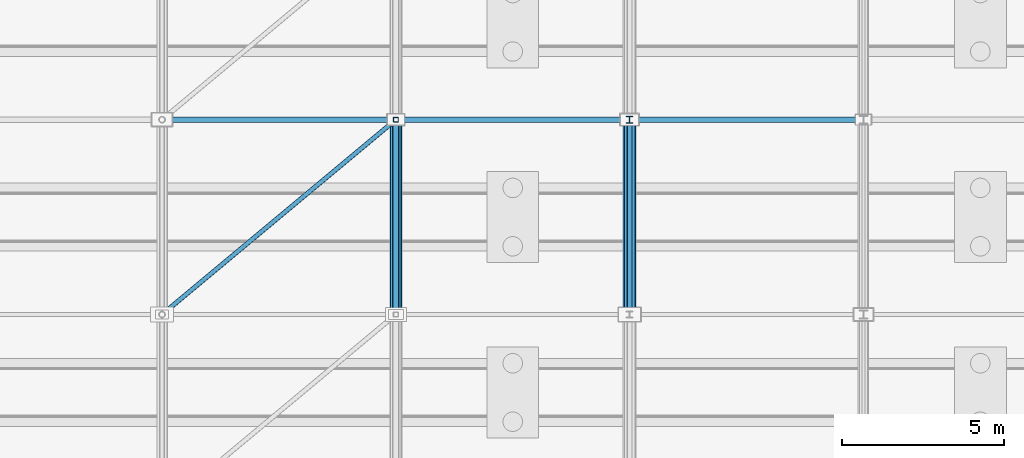
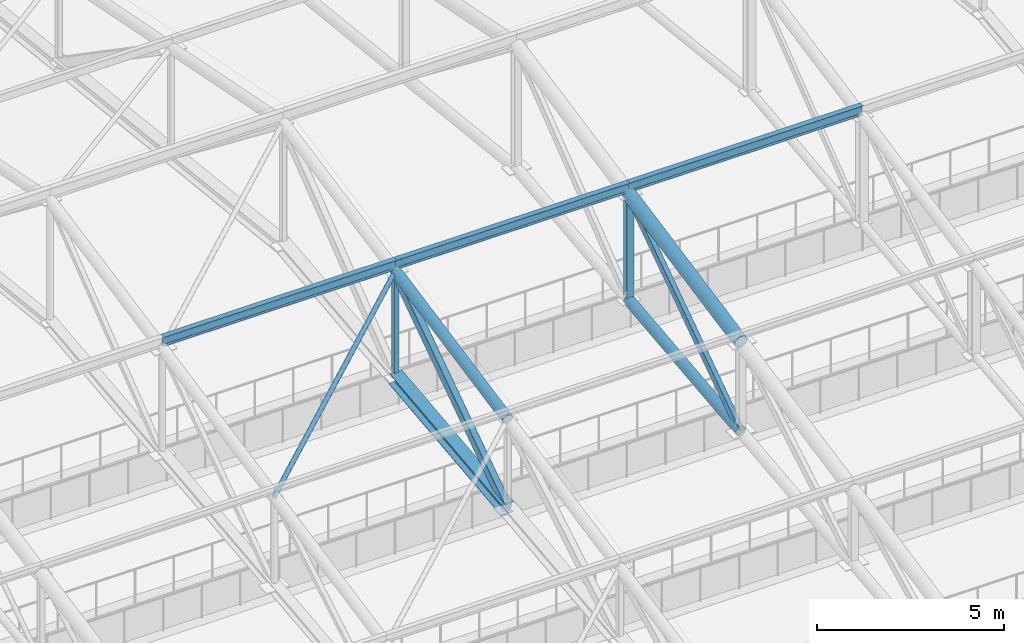
# One storey, part 146 of 293: 12 members.
"""IFC4 building model written with IfcOpenShell, lengths in metres."""

from ifc_helpers import new_model, si_unit, direction, frame, origin, origin_2d, place, context, subcontext, project, spatial, hollow_rectangle, hollow_circle, i_section, extrude, material, material_profile, profile_set, type_object, element, save


model = new_model("IFC4")

# Units and contexts
model_context = context("Model", 3, precision=1e-05, world=origin(), true_north=direction((0.0, 1.0)))
body_context = subcontext(model_context, "Body", "Model", "MODEL_VIEW")
ifc_project = project(units=[si_unit("LENGTHUNIT", "METRE"), si_unit("AREAUNIT", "SQUARE_METRE"), si_unit("VOLUMEUNIT", "CUBIC_METRE"), si_unit("PLANEANGLEUNIT", "RADIAN"), si_unit("MASSUNIT", "GRAM", prefix="KILO")], contexts=[model_context])

# Site, building, storey
site_placement = place(None, origin())
site = spatial("IfcSite", under=ifc_project, at=site_placement, CompositionType="ELEMENT")
building_placement = place(site_placement, origin())
building = spatial("IfcBuilding", under=site, at=building_placement, Name="Kemerveld Promenade Tramway Depot", CompositionType="ELEMENT")
storey_placement = place(building_placement, origin())
storey = spatial("IfcBuildingStorey", under=building, at=storey_placement, Name="L00", CompositionType="ELEMENT", Elevation=0.0)

# Members
ifc_material = material(Name="Steel S355", Category="steel")
ifc_material_profile_1 = material_profile(ifc_material, hollow_rectangle(XDim=0.199951171875, YDim=0.300048828125, WallThickness=0.012451171875, InnerFilletRadius=0.00634765625, OuterFilletRadius=0.018798828125, at=origin_2d()), Name="300x200x12.5 RHS")
ifc_profile_set_1 = profile_set([ifc_material_profile_1], Name="Steel S355")
member_type_1 = type_object("IfcMemberType", Name="MB-M01", PredefinedType="BRACE", material=ifc_profile_set_1)
member_1_placement = place(storey_placement, frame((115.199951171875, 102.0, 11.780029296875), z_axis=(0.0, 0.824370638462, 0.566050395673), x_axis=(-1.0, 0.0, 0.0)))
element("IfcMember", 1, at=member_1_placement, inside=storey, type_object=member_type_1, Name="TR-17-DG-04", PredefinedType="BRACE", context=body_context, shape_type="SweptSolid", body=[
    extrude(hollow_rectangle(XDim=0.199951171875, YDim=0.300048828125, WallThickness=0.012451171875, InnerFilletRadius=0.00634765625, OuterFilletRadius=0.018798828125, at=origin_2d()), origin(), (0.0, 0.0, 1.0), 7.2783203125),
])
ifc_material_profile_2 = material_profile(ifc_material, hollow_rectangle(XDim=0.14990234375, YDim=0.25, WallThickness=0.010009765625, InnerFilletRadius=0.0048828125, OuterFilletRadius=0.014892578125, at=origin_2d()), Name="250x150x10.0 RHS")
ifc_profile_set_2 = profile_set([ifc_material_profile_2], Name="Steel S355")
member_type_2 = type_object("IfcMemberType", Name="MB-M02", PredefinedType="BRACE", material=ifc_profile_set_2)
member_2_placement = place(storey_placement, frame((122.39990234375, 102.0, 11.780029296875), z_axis=(0.0, 0.824370638462, 0.566050395673), x_axis=(-1.0, 0.0, 0.0)))
element("IfcMember", 2, at=member_2_placement, inside=storey, type_object=member_type_2, Name="TR-18-DG-04", PredefinedType="BRACE", context=body_context, shape_type="SweptSolid", body=[
    extrude(hollow_rectangle(XDim=0.14990234375, YDim=0.25, WallThickness=0.010009765625, InnerFilletRadius=0.0048828125, OuterFilletRadius=0.014892578125, at=origin_2d()), origin(), (0.0, 0.0, 1.0), 7.2783203125),
])
ifc_material_profile_3 = material_profile(ifc_material, i_section(OverallWidth=0.165771484375, OverallDepth=0.306640625, WebThickness=0.006591796875, FlangeThickness=0.01171875, FilletRadius=0.0087890625, at=origin_2d()), Name="305x165x46 UB")
ifc_profile_set_3 = profile_set([ifc_material_profile_3], Name="Steel S355")
member_type_3 = type_object("IfcMemberType", Name="MB-M06", PredefinedType="PURLIN", material=ifc_profile_set_3)
for number, where, z_axis, x_axis, name in (
    (3, (108.0, 108.0, 16.14501953125), (1.0, 0.0, 0.0), (0.0, 1.0, 0.0), "PUR-V1-04-16"),
    (4, (115.199951171875, 108.0, 16.14501953125), (1.0, 0.0, 0.0), (0.0, 1.0, 0.0), "PUR-V1-04-17"),
):
    element("IfcMember", number, at=place(storey_placement, frame(where, z_axis=z_axis, x_axis=x_axis)), inside=storey, type_object=member_type_3, Name=name, PredefinedType="PURLIN", context=body_context, shape_type="SweptSolid", body=[
        extrude(i_section(OverallWidth=0.165771484375, OverallDepth=0.306640625, WebThickness=0.006591796875, FlangeThickness=0.01171875, FilletRadius=0.0087890625, at=origin_2d()), origin(), (0.0, 0.0, 1.0), 7.199951171875),
    ])
member_3_placement = place(storey_placement, frame((122.39990234375, 108.0, 16.14501953125), z_axis=(1.0, 0.0, 0.0), x_axis=(0.0, 1.0, 0.0)))
element("IfcMember", 5, at=member_3_placement, inside=storey, type_object=member_type_3, Name="PUR-V1-04-18", PredefinedType="PURLIN", context=body_context, shape_type="SweptSolid", body=[
    extrude(i_section(OverallWidth=0.165771484375, OverallDepth=0.306640625, WebThickness=0.006591796875, FlangeThickness=0.01171875, FilletRadius=0.0087890625, at=origin_2d()), origin(), (0.0, 0.0, 1.0), 7.2001953125),
])
ifc_material_profile_4 = material_profile(ifc_material, i_section(OverallWidth=0.37255859375, OverallDepth=0.3681640625, WebThickness=0.014404296875, FlangeThickness=0.023681640625, FilletRadius=0.01513671875, at=origin_2d()), Name="356x368x177 UC")
ifc_profile_set_4 = profile_set([ifc_material_profile_4], Name="Steel S355")
member_type_4 = type_object("IfcMemberType", Name="MB-M08", PredefinedType="CHORD", material=ifc_profile_set_4)
member_4_placement = place(storey_placement, frame((115.199951171875, 102.0, 11.780029296875), z_axis=(0.0, 0.994005938353, 0.109326092585), x_axis=(-1.0, 0.0, 0.0)))
element("IfcMember", 6, at=member_4_placement, inside=storey, type_object=member_type_4, Name="TR-17-BC-04", PredefinedType="CHORD", context=body_context, shape_type="SweptSolid", body=[
    extrude(i_section(OverallWidth=0.37255859375, OverallDepth=0.3681640625, WebThickness=0.014404296875, FlangeThickness=0.023681640625, FilletRadius=0.01513671875, at=origin_2d()), origin(), (0.0, 0.0, 1.0), 6.0361328125),
])
ifc_material_profile_5 = material_profile(ifc_material, hollow_circle(Radius=0.06982421875, WallThickness=0.00634765625, at=origin_2d()), Name="139.7x6.3 CHS")
ifc_profile_set_5 = profile_set([ifc_material_profile_5], Name="Steel S355")
member_type_5 = type_object("IfcMemberType", Name="MB-TB3", PredefinedType="BRACE", material=ifc_profile_set_5)
member_5_placement = place(storey_placement, frame((108.0, 102.0, 14.699951171875), z_axis=(0.761999094998, 0.635003552225, 0.126995542773), x_axis=(-0.640186961885, 0.768219144407, 0.0)))
element("IfcMember", 7, at=member_5_placement, inside=storey, type_object=member_type_5, Name="RBR-V1-03-16", PredefinedType="BRACE", context=body_context, shape_type="SweptSolid", body=[
    extrude(hollow_circle(Radius=0.06982421875, WallThickness=0.00634765625, at=origin_2d()), origin(), (0.0, 0.0, 1.0), 9.44873046875),
])
ifc_material_profile_6 = material_profile(ifc_material, hollow_circle(Radius=0.203125, WallThickness=0.01611328125, at=origin_2d()), Name="406.4x16.0 CHS")
ifc_profile_set_6 = profile_set([ifc_material_profile_6], Name="Steel S355")
member_type_6 = type_object("IfcMemberType", Name="MB-TC1", PredefinedType="CHORD", material=ifc_profile_set_6)
member_6_placement = place(storey_placement, frame((122.39990234375, 102.0, 14.699951171875), z_axis=(0.0, 0.980582210276, 0.196108462057), x_axis=(-1.0, 0.0, 0.0)))
element("IfcMember", 8, at=member_6_placement, inside=storey, type_object=member_type_6, Name="TR-18-TC-04", PredefinedType="CHORD", context=body_context, shape_type="SweptSolid", body=[
    extrude(hollow_circle(Radius=0.203125, WallThickness=0.01611328125, at=origin_2d()), origin(), (0.0, 0.0, 1.0), 6.118896484375),
])
ifc_material_profile_7 = material_profile(ifc_material, hollow_circle(Radius=0.161865234375, WallThickness=0.012451171875, at=origin_2d()), Name="323.9x12.5 CHS")
ifc_profile_set_7 = profile_set([ifc_material_profile_7], Name="Steel S355")
member_type_7 = type_object("IfcMemberType", Name="MB-TC2", PredefinedType="CHORD", material=ifc_profile_set_7)
member_7_placement = place(storey_placement, frame((115.199951171875, 102.0, 14.699951171875), z_axis=(0.0, 0.980582210276, 0.196108462057), x_axis=(-1.0, 0.0, 0.0)))
element("IfcMember", 9, at=member_7_placement, inside=storey, type_object=member_type_7, Name="TR-17-TC-04", PredefinedType="CHORD", context=body_context, shape_type="SweptSolid", body=[
    extrude(hollow_circle(Radius=0.161865234375, WallThickness=0.012451171875, at=origin_2d()), origin(), (0.0, 0.0, 1.0), 6.118896484375),
])
member_8_placement = place(storey_placement, frame((122.39990234375, 102.0, 11.780029296875), z_axis=(0.0, 0.994005938353, 0.109326092585), x_axis=(-1.0, 0.0, 0.0)))
element("IfcMember", 10, at=member_8_placement, inside=storey, type_object=member_type_7, Name="TR-18-BC-04", PredefinedType="CHORD", context=body_context, shape_type="SweptSolid", body=[
    extrude(hollow_circle(Radius=0.161865234375, WallThickness=0.012451171875, at=origin_2d()), origin(), (0.0, 0.0, 1.0), 6.0361328125),
])
ifc_material_profile_8 = material_profile(ifc_material, hollow_rectangle(XDim=0.14990234375, YDim=0.14990234375, WallThickness=0.008056640625, InnerFilletRadius=0.00390625, OuterFilletRadius=0.011962890625, at=origin_2d()), Name="150x150x8.0 SHS")
ifc_profile_set_8 = profile_set([ifc_material_profile_8], Name="Steel S355")
member_type_8 = type_object("IfcMemberType", Name="MB-TP2", PredefinedType="POST", material=ifc_profile_set_8)
member_9_placement = place(storey_placement, frame((115.199951171875, 108.0, 12.43994140625), z_axis=(0.0, 0.0, 1.0), x_axis=(1.0, 0.0, 0.0)))
element("IfcMember", 11, at=member_9_placement, inside=storey, type_object=member_type_8, Name="TR-17-VT-04", PredefinedType="POST", context=body_context, shape_type="SweptSolid", body=[
    extrude(hollow_rectangle(XDim=0.14990234375, YDim=0.14990234375, WallThickness=0.008056640625, InnerFilletRadius=0.00390625, OuterFilletRadius=0.011962890625, at=origin_2d()), origin(), (0.0, 0.0, 1.0), 3.4599609375),
])
ifc_material_profile_9 = material_profile(ifc_material, i_section(OverallWidth=0.205810546875, OverallDepth=0.209716796875, WebThickness=0.009521484375, FlangeThickness=0.01416015625, FilletRadius=0.01025390625, at=origin_2d()), Name="203x203x60 UC")
ifc_profile_set_9 = profile_set([ifc_material_profile_9], Name="Steel S355")
member_type_9 = type_object("IfcMemberType", Name="MB-TP3", PredefinedType="POST", material=ifc_profile_set_9)
member_10_placement = place(storey_placement, frame((122.39990234375, 108.0, 12.43994140625), z_axis=(0.0, 0.0, 1.0), x_axis=(1.0, 0.0, 0.0)))
element("IfcMember", 12, at=member_10_placement, inside=storey, type_object=member_type_9, Name="TR-18-VT-04", PredefinedType="POST", context=body_context, shape_type="SweptSolid", body=[
    extrude(i_section(OverallWidth=0.205810546875, OverallDepth=0.209716796875, WebThickness=0.009521484375, FlangeThickness=0.01416015625, FilletRadius=0.01025390625, at=origin_2d()), origin(), (0.0, 0.0, 1.0), 3.4599609375),
])

save(model, "model.ifc")
